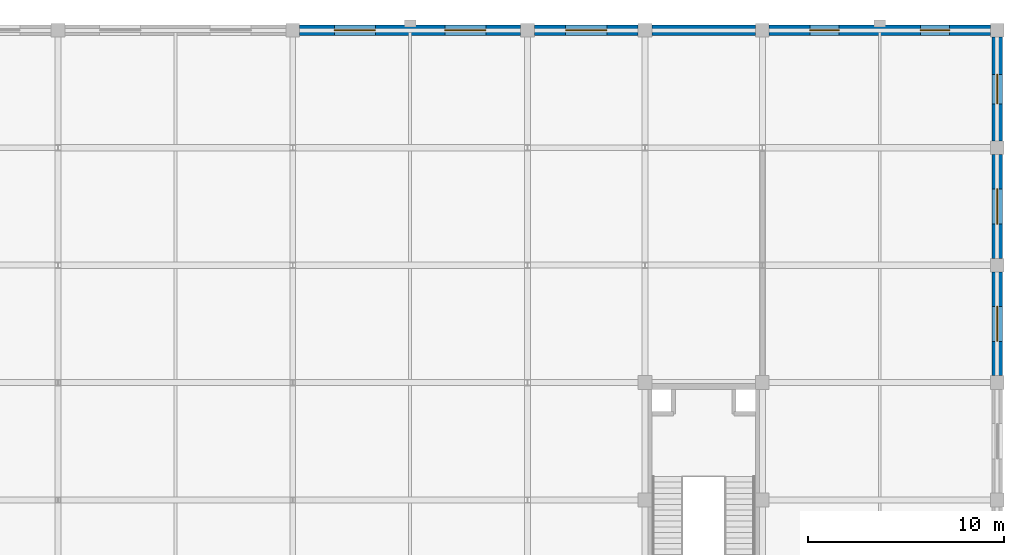
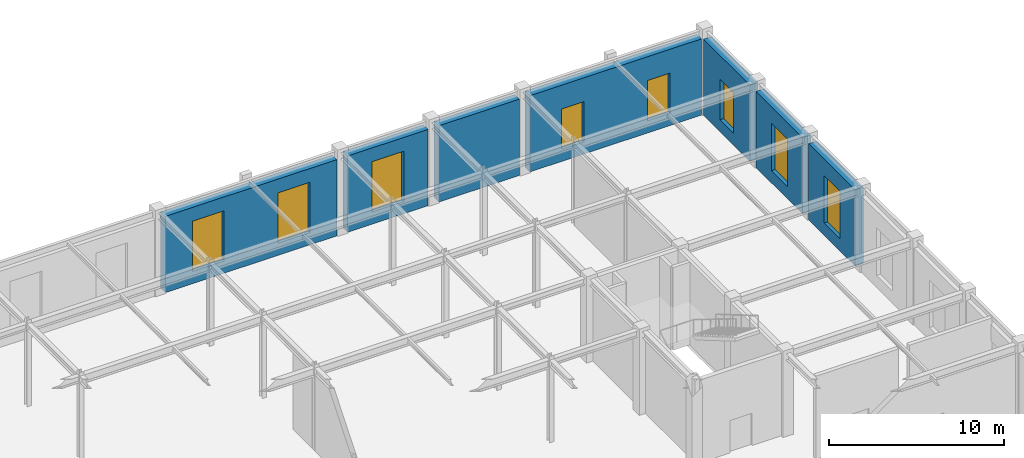
# One storey, part 105 of 108: 8 windows, 7 walls, 8 openings.
"""IFC4 building model written with IfcOpenShell, lengths in metres."""

import ifcopenshell
import ifcopenshell.guid

model = None  # the IFC model being written
_history = None  # IfcOwnerHistory: only IFC2X3 demands one
_inside = {}  # id of a spatial element -> (the spatial element, [elements in it])
_under = {}  # id of a project, library or spatial element -> (it, [spatial elements below it])
_declared = {}  # id of a project -> (the project, [libraries it declares])
_typed = {}  # id of a type object -> (the type object, [elements of that type])
_made_of = {}  # id of a material, layer set ... -> (it, [elements and type objects made of it])


def new_model(schema):
    """Start an empty IFC model of exactly this schema.

    Asked for "IFC4X3", IfcOpenShell would pick the latest addendum, in which some entities
    have other attributes; the version numbers below select the first issue.
    IFC2X3 requires an IfcOwnerHistory on every rooted entity: one is made here for all.
    """
    global model, _history
    if schema == "IFC4X3":
        model = ifcopenshell.file(schema_version=(4, 3, 0, 0))
    else:
        model = ifcopenshell.file(schema=schema)
    _inside.clear()
    _under.clear()
    _declared.clear()
    _typed.clear()
    _made_of.clear()
    _history = None
    if model.schema == "IFC2X3":
        org = make("IfcOrganization", Name="unknown")
        user = make(
            "IfcPersonAndOrganization",
            ThePerson=make("IfcPerson", FamilyName="unknown"),
            TheOrganization=org,
        )
        app = make(
            "IfcApplication",
            ApplicationDeveloper=org,
            Version="unknown",
            ApplicationFullName="unknown",
            ApplicationIdentifier="unknown",
        )
        _history = make(
            "IfcOwnerHistory",
            OwningUser=user,
            OwningApplication=app,
            ChangeAction="ADDED",
            CreationDate=0,
        )
    return model


def make(cls, **values):
    """One entity of the class cls with the attributes given. An attribute that is None is left unset."""
    return model.create_entity(
        cls, **{name: value for name, value in values.items() if value is not None}
    )


def rooted(cls, **values):
    """An entity with a GlobalId (a new one), such as an element, a storey or a relation."""
    return make(cls, GlobalId=ifcopenshell.guid.new(), OwnerHistory=_history, **values)


def si_unit(unit_type, name, prefix=None):
    """IfcSIUnit, for example si_unit("LENGTHUNIT", "METRE", prefix="MILLI")."""
    return make("IfcSIUnit", UnitType=unit_type, Prefix=prefix, Name=name)


def assignment(units):
    """IfcUnitAssignment: the units of a project."""
    return None if units is None else make("IfcUnitAssignment", Units=units)


def point(xyz):
    """IfcCartesianPoint."""
    return None if xyz is None else make("IfcCartesianPoint", Coordinates=xyz)


def direction(xyz):
    """IfcDirection."""
    return None if xyz is None else make("IfcDirection", DirectionRatios=xyz)


def frame(location, z_axis=None, x_axis=None):
    """IfcAxis2Placement3D, a coordinate frame: its origin and axes. An axis left out is left unset."""
    return make(
        "IfcAxis2Placement3D",
        Location=point(location),
        Axis=direction(z_axis),
        RefDirection=direction(x_axis),
    )


def frame_2d(location, x_axis=None):
    """IfcAxis2Placement2D, a coordinate frame in the plane: its origin and x axis."""
    return make(
        "IfcAxis2Placement2D", Location=point(location), RefDirection=direction(x_axis)
    )


def origin():
    """The frame at (0, 0, 0) with its axes left unset."""
    return frame((0.0, 0.0, 0.0))


def place(relative_to, where):
    """IfcLocalPlacement: puts the frame where relative to a parent placement (None: the world)."""
    return make(
        "IfcLocalPlacement", PlacementRelTo=relative_to, RelativePlacement=where
    )


def context(
    kind, dimensions, precision=None, world=None, true_north=None, identifier=None
):
    """IfcGeometricRepresentationContext, for example the 3D "Model" context."""
    return make(
        "IfcGeometricRepresentationContext",
        ContextIdentifier=identifier,
        ContextType=kind,
        CoordinateSpaceDimension=dimensions,
        Precision=precision,
        WorldCoordinateSystem=world,
        TrueNorth=true_north,
    )


def subcontext(parent, identifier, kind, view, scale=None):
    """IfcGeometricRepresentationSubContext, for example "Body" below "Model"."""
    return make(
        "IfcGeometricRepresentationSubContext",
        ContextIdentifier=identifier,
        ContextType=kind,
        ParentContext=parent,
        TargetScale=scale,
        TargetView=view,
    )


def project(units=None, contexts=None):
    """IfcProject with its units and contexts."""
    return rooted(
        "IfcProject",
        Name="project",
        RepresentationContexts=contexts,
        UnitsInContext=assignment(units),
    )


def spatial(cls, under=None, at=None, **own):
    """A site, building, storey or space (cls), placed at a placement, below another one or the project."""
    s = rooted(cls, ObjectPlacement=at, **own)
    if under is not None:
        _under.setdefault(under.id(), (under, []))[1].append(s)
    return s


def profile(cls, at=None, kind="AREA", **sizes):
    """A parametric profile (cls). Its sizes go by their IFC names, for example OverallWidth=200.0."""
    return make(cls, ProfileType=kind, Position=at, **sizes)


def rectangle(**sizes):
    """IfcRectangleProfileDef."""
    return profile("IfcRectangleProfileDef", **sizes)


def extrude(swept, where, along, depth):
    """IfcExtrudedAreaSolid: the profile swept, set in the frame where, extruded along a direction by depth."""
    return make(
        "IfcExtrudedAreaSolid",
        SweptArea=swept,
        Position=where,
        ExtrudedDirection=direction(along),
        Depth=depth,
    )


def shape(context_of_items, identifier, shape_type, items):
    """IfcShapeRepresentation: the items that make up one representation, for example the "Body"."""
    return make(
        "IfcShapeRepresentation",
        ContextOfItems=context_of_items,
        RepresentationIdentifier=identifier,
        RepresentationType=shape_type,
        Items=items,
    )


def material(Name=None, Category=None):
    """IfcMaterial."""
    return make("IfcMaterial", Name=Name, Category=Category)


def layer(
    of_material, thickness, ventilated=None, Name=None, Category=None, Priority=None
):
    """IfcMaterialLayer: one layer of a wall or slab, of a material (None: an air gap)."""
    return make(
        "IfcMaterialLayer",
        Material=of_material,
        LayerThickness=thickness,
        IsVentilated=ventilated,
        Name=Name,
        Category=Category,
        Priority=Priority,
    )


def layer_set(layers, Name=None):
    """IfcMaterialLayerSet."""
    return make("IfcMaterialLayerSet", MaterialLayers=layers, LayerSetName=Name)


def made_of(thing, what):
    """Note that an element or type object is made of a material, layer set ...; save() writes the relation."""
    if what is not None:
        _made_of.setdefault(what.id(), (what, []))[1].append(thing)
    return thing


def type_object(cls, material=None, **own):
    """A type object (cls), such as IfcWallType, which elements share."""
    return made_of(rooted(cls, **own), material)


def element(
    cls,
    number,
    at=None,
    inside=None,
    cuts=None,
    type_object=None,
    material=None,
    context=None,
    identifier="Body",
    shape_type=None,
    held_by="IfcProductDefinitionShape",
    body=None,
    shapes=None,
    **own,
):
    """One element of the class cls, such as IfcWall. Its Tag is "e" and its number.

    at: its placement. inside: the storey or other place that contains it. cuts: it is an
    opening in that element (IfcRelVoidsElement). A single representation is given by context,
    identifier, shape_type and body (its items); several are given by shapes. held_by: the class
    of the entity that holds the representations. save() writes the other relations.
    """
    e = rooted(cls, Tag="e%d" % number, ObjectPlacement=at, **own)
    if body is not None:
        shapes = [shape(context, identifier, shape_type, body)]
    if shapes is not None:
        e.Representation = make(held_by, Representations=shapes)
    if inside is not None:
        _inside.setdefault(inside.id(), (inside, []))[1].append(e)
    if cuts is not None:
        rooted(
            "IfcRelVoidsElement", RelatingBuildingElement=cuts, RelatedOpeningElement=e
        )
    if type_object is not None:
        _typed.setdefault(type_object.id(), (type_object, []))[1].append(e)
    return made_of(e, material)


def fill(opening, filler):
    """IfcRelFillsElement: the door or window that sits in an opening."""
    return rooted(
        "IfcRelFillsElement",
        RelatingOpeningElement=opening,
        RelatedBuildingElement=filler,
    )


def aggregate(whole, parts):
    """IfcRelAggregates: a whole, such as a stair, and the parts it consists of."""
    return rooted("IfcRelAggregates", RelatingObject=whole, RelatedObjects=parts)


def save(model, path):
    """Write the relations noted so far, then the file.

    IfcRelAggregates (storeys below a building ...), IfcRelContainedInSpatialStructure (elements
    in a storey), IfcRelDefinesByType, IfcRelAssociatesMaterial and IfcRelDeclares: one each for
    every whole, place, type object, material and project.
    """
    for whole, parts in _under.values():
        aggregate(whole, parts)
    for where, things in _inside.values():
        rooted(
            "IfcRelContainedInSpatialStructure",
            RelatedElements=things,
            RelatingStructure=where,
        )
    for kind, things in _typed.values():
        rooted("IfcRelDefinesByType", RelatedObjects=things, RelatingType=kind)
    for what, things in _made_of.values():
        rooted("IfcRelAssociatesMaterial", RelatedObjects=things, RelatingMaterial=what)
    for by, libraries in _declared.values():
        rooted("IfcRelDeclares", RelatingContext=by, RelatedDefinitions=libraries)
    model.write(path)


model = new_model("IFC4")

# Units and contexts
model_context = context("Model", 3, precision=1e-05, world=origin(), true_north=direction((0.0, 1.0)))
body_context = subcontext(model_context, "Body", "Model", "MODEL_VIEW")
ifc_project = project(units=[si_unit("LENGTHUNIT", "METRE"), si_unit("AREAUNIT", "SQUARE_METRE"), si_unit("VOLUMEUNIT", "CUBIC_METRE"), si_unit("PLANEANGLEUNIT", "RADIAN"), si_unit("MASSUNIT", "GRAM", prefix="KILO")], contexts=[model_context])

# Site, building, storey
site_placement = place(None, origin())
site = spatial("IfcSite", under=ifc_project, at=site_placement, CompositionType="ELEMENT")
building_placement = place(site_placement, origin())
building = spatial("IfcBuilding", under=site, at=building_placement, Name="Zlatovratsky Civic Hall", CompositionType="ELEMENT")
storey_placement = place(building_placement, frame((0.0, 0.0, 6.0)))
storey = spatial("IfcBuildingStorey", under=building, at=storey_placement, Name="L02", CompositionType="ELEMENT", Elevation=6.0)

# Wall, openings, windows
ifc_material_1 = material(Name="Acoustic ceramic blockwork", Category="masonry")
ifc_layer_1 = layer(ifc_material_1, 0.39990234375, Name="Backing")
ifc_material_2 = material(Name="Polished Karelian granite ashlar", Category="masonry")
ifc_layer_2 = layer(ifc_material_2, 0.139892578125, Name="Finish")
ifc_layer_set = layer_set([ifc_layer_1, ifc_layer_2], Name="Acoustic ceramic blockwork")
wall_type = type_object("IfcWallType", Name="Wall_PodiumGraniteArcade_540", PredefinedType="SOLIDWALL", material=ifc_layer_set)
wall_1_placement = place(storey_placement, frame((132.35009765625, 114.0, 0.0), z_axis=(0.0, 0.0, 1.0), x_axis=(1.0, 0.0, 0.0)))
wall_1 = element("IfcWall", 1, at=wall_1_placement, inside=storey, type_object=wall_type, Name="WL-0203", PredefinedType="SOLIDWALL", context=body_context, shape_type="SweptSolid", body=[
    extrude(rectangle(XDim=11.2998046875, YDim=0.5400390625, at=frame_2d((5.64990234375, 0.0))), origin(), (0.0, 0.0, 1.0), 5.31005859375),
])
opening_1_placement = place(wall_1_placement, frame((1.77490234375, 0.0, 0.85009765625)))
opening_1 = element("IfcOpeningElement", 2, at=opening_1_placement, cuts=wall_1, Name="Opening WN-05", PredefinedType="OPENING", context=body_context, shape_type="SweptSolid", body=[
    extrude(rectangle(XDim=2.10009765625, YDim=3.5, at=frame_2d((1.050048828125, 1.75))), frame((0.0, 0.284912109375, 0.0), z_axis=(0.0, -1.0, 0.0), x_axis=(1.0, 0.0, 0.0)), (0.0, 0.0, 1.0), 0.56982421875),
])
opening_2_placement = place(wall_1_placement, frame((7.425048828125, 0.0, 0.85009765625)))
opening_2 = element("IfcOpeningElement", 3, at=opening_2_placement, cuts=wall_1, Name="Opening WN-05", PredefinedType="OPENING", context=body_context, shape_type="SweptSolid", body=[
    extrude(rectangle(XDim=2.10009765625, YDim=3.5, at=frame_2d((1.050048828125, 1.75))), frame((0.0, 0.284912109375, 0.0), z_axis=(0.0, -1.0, 0.0), x_axis=(1.0, 0.0, 0.0)), (0.0, 0.0, 1.0), 0.56982421875),
])
ifc_material_3 = material(Name="Low-E laminated double glazing", Category="glass")
window_type_1 = type_object("IfcWindowType", Name="Window_PianoNobileWing_2100x3500", PartitioningType="SINGLE_PANEL", PredefinedType="WINDOW", material=ifc_material_3)
window_1_placement = place(opening_1_placement, origin())
window_1 = element("IfcWindow", 4, at=window_1_placement, inside=storey, type_object=window_type_1, Name="WN-0122", OverallHeight=3.5, OverallWidth=2.10009765625, PartitioningType="SINGLE_PANEL", PredefinedType="WINDOW", context=body_context, shape_type="SweptSolid", body=[
    extrude(rectangle(XDim=2.10009765625, YDim=3.5, at=frame_2d((1.050048828125, 1.75))), frame((0.0, 0.030029296875, 0.0), z_axis=(0.0, -1.0, 0.0), x_axis=(1.0, 0.0, 0.0)), (0.0, 0.0, 1.0), 0.06005859375),
])
fill(opening_1, window_1)
window_2_placement = place(opening_2_placement, origin())
window_2 = element("IfcWindow", 5, at=window_2_placement, inside=storey, type_object=window_type_1, Name="WN-0123", OverallHeight=3.5, OverallWidth=2.10009765625, PartitioningType="SINGLE_PANEL", PredefinedType="WINDOW", context=body_context, shape_type="SweptSolid", body=[
    extrude(rectangle(XDim=2.10009765625, YDim=3.5, at=frame_2d((1.050048828125, 1.75))), frame((0.0, 0.030029296875, 0.0), z_axis=(0.0, -1.0, 0.0), x_axis=(1.0, 0.0, 0.0)), (0.0, 0.0, 1.0), 0.06005859375),
])
fill(opening_2, window_2)

# Wall, opening, window
wall_2_placement = place(storey_placement, frame((144.35009765625, 114.0, 0.0), z_axis=(0.0, 0.0, 1.0), x_axis=(1.0, 0.0, 0.0)))
wall_2 = element("IfcWall", 6, at=wall_2_placement, inside=storey, type_object=wall_type, Name="WL-0204", PredefinedType="SOLIDWALL", context=body_context, shape_type="SweptSolid", body=[
    extrude(rectangle(XDim=5.2998046875, YDim=0.5400390625, at=frame_2d((2.64990234375, 0.0))), origin(), (0.0, 0.0, 1.0), 5.31005859375),
])
opening_3_placement = place(wall_2_placement, frame((1.60009765625, 0.0, 0.85009765625)))
opening_3 = element("IfcOpeningElement", 7, at=opening_3_placement, cuts=wall_2, Name="Opening WN-05", PredefinedType="OPENING", context=body_context, shape_type="SweptSolid", body=[
    extrude(rectangle(XDim=2.10009765625, YDim=3.5, at=frame_2d((1.050048828125, 1.75))), frame((0.0, 0.284912109375, 0.0), z_axis=(0.0, -1.0, 0.0), x_axis=(1.0, 0.0, 0.0)), (0.0, 0.0, 1.0), 0.56982421875),
])
window_3_placement = place(opening_3_placement, origin())
window_3 = element("IfcWindow", 8, at=window_3_placement, inside=storey, type_object=window_type_1, Name="WN-0124", OverallHeight=3.5, OverallWidth=2.10009765625, PartitioningType="SINGLE_PANEL", PredefinedType="WINDOW", context=body_context, shape_type="SweptSolid", body=[
    extrude(rectangle(XDim=2.10009765625, YDim=3.5, at=frame_2d((1.050048828125, 1.75))), frame((0.0, 0.030029296875, 0.0), z_axis=(0.0, -1.0, 0.0), x_axis=(1.0, 0.0, 0.0)), (0.0, 0.0, 1.0), 0.06005859375),
])
fill(opening_3, window_3)

# Wall
wall_3_placement = place(storey_placement, frame((150.35009765625, 114.0, 0.0), z_axis=(0.0, 0.0, 1.0), x_axis=(1.0, 0.0, 0.0)))
element("IfcWall", 9, at=wall_3_placement, inside=storey, type_object=wall_type, Name="WL-0205", PredefinedType="SOLIDWALL", context=body_context, shape_type="SweptSolid", body=[
    extrude(rectangle(XDim=5.2998046875, YDim=0.5400390625, at=frame_2d((2.64990234375, 0.0))), origin(), (0.0, 0.0, 1.0), 5.31005859375),
])

# Wall, openings, windows
wall_4_placement = place(storey_placement, frame((156.35009765625, 114.0, 0.0), z_axis=(0.0, 0.0, 1.0), x_axis=(1.0, 0.0, 0.0)))
wall_4 = element("IfcWall", 10, at=wall_4_placement, inside=storey, type_object=wall_type, Name="WL-0206", PredefinedType="SOLIDWALL", context=body_context, shape_type="SweptSolid", body=[
    extrude(rectangle(XDim=11.2998046875, YDim=0.5400390625, at=frame_2d((5.64990234375, 0.0))), origin(), (0.0, 0.0, 1.0), 5.31005859375),
])
opening_4_placement = place(wall_4_placement, frame((2.074951171875, 0.0, 0.85009765625)))
opening_4 = element("IfcOpeningElement", 11, at=opening_4_placement, cuts=wall_4, Name="Opening WN-27", PredefinedType="OPENING", context=body_context, shape_type="SweptSolid", body=[
    extrude(rectangle(XDim=1.5, YDim=2.800048828125, at=frame_2d((0.75, 1.39990234375))), frame((0.0, 0.284912109375, 0.0), z_axis=(0.0, -1.0, 0.0), x_axis=(1.0, 0.0, 0.0)), (0.0, 0.0, 1.0), 0.56982421875),
])
opening_5_placement = place(wall_4_placement, frame((7.72509765625, 0.0, 0.85009765625)))
opening_5 = element("IfcOpeningElement", 12, at=opening_5_placement, cuts=wall_4, Name="Opening WN-27", PredefinedType="OPENING", context=body_context, shape_type="SweptSolid", body=[
    extrude(rectangle(XDim=1.5, YDim=2.800048828125, at=frame_2d((0.75, 1.39990234375))), frame((0.0, 0.284912109375, 0.0), z_axis=(0.0, -1.0, 0.0), x_axis=(1.0, 0.0, 0.0)), (0.0, 0.0, 1.0), 0.56982421875),
])
window_type_2 = type_object("IfcWindowType", Name="Window_CornerBastionPodium_1500x2800", PartitioningType="SINGLE_PANEL", PredefinedType="WINDOW", material=ifc_material_3)
window_4_placement = place(opening_4_placement, origin())
window_4 = element("IfcWindow", 13, at=window_4_placement, inside=storey, type_object=window_type_2, Name="WN-0125", OverallHeight=2.800048828125, OverallWidth=1.5, PartitioningType="SINGLE_PANEL", PredefinedType="WINDOW", context=body_context, shape_type="SweptSolid", body=[
    extrude(rectangle(XDim=1.5, YDim=2.800048828125, at=frame_2d((0.75, 1.39990234375))), frame((0.0, 0.030029296875, 0.0), z_axis=(0.0, -1.0, 0.0), x_axis=(1.0, 0.0, 0.0)), (0.0, 0.0, 1.0), 0.06005859375),
])
fill(opening_4, window_4)
window_5_placement = place(opening_5_placement, origin())
window_5 = element("IfcWindow", 14, at=window_5_placement, inside=storey, type_object=window_type_2, Name="WN-0126", OverallHeight=2.800048828125, OverallWidth=1.5, PartitioningType="SINGLE_PANEL", PredefinedType="WINDOW", context=body_context, shape_type="SweptSolid", body=[
    extrude(rectangle(XDim=1.5, YDim=2.800048828125, at=frame_2d((0.75, 1.39990234375))), frame((0.0, 0.030029296875, 0.0), z_axis=(0.0, -1.0, 0.0), x_axis=(1.0, 0.0, 0.0)), (0.0, 0.0, 1.0), 0.06005859375),
])
fill(opening_5, window_5)

# Wall, opening, window
wall_5_placement = place(storey_placement, frame((168.0, 96.35009765625, 0.0), z_axis=(0.0, 0.0, 1.0), x_axis=(0.0, 1.0, 0.0)))
wall_5 = element("IfcWall", 15, at=wall_5_placement, inside=storey, type_object=wall_type, Name="WL-0238", PredefinedType="SOLIDWALL", context=body_context, shape_type="SweptSolid", body=[
    extrude(rectangle(XDim=5.2998046875, YDim=0.5400390625, at=frame_2d((2.64990234375, 0.0))), origin(), (0.0, 0.0, 1.0), 5.31005859375),
])
opening_6_placement = place(wall_5_placement, frame((1.75, 0.0, 0.85009765625)))
opening_6 = element("IfcOpeningElement", 16, at=opening_6_placement, cuts=wall_5, Name="Opening WN-06", PredefinedType="OPENING", context=body_context, shape_type="SweptSolid", body=[
    extrude(rectangle(XDim=1.800048828125, YDim=3.300048828125, at=frame_2d((0.89990234375, 1.64990234375))), frame((0.0, 0.284912109375, 0.0), z_axis=(0.0, -1.0, 0.0), x_axis=(1.0, 0.0, 0.0)), (0.0, 0.0, 1.0), 0.56982421875),
])
window_type_3 = type_object("IfcWindowType", Name="Window_PianoNobileCourt_1800x3300", PartitioningType="SINGLE_PANEL", PredefinedType="WINDOW", material=ifc_material_3)
window_6_placement = place(opening_6_placement, origin())
window_6 = element("IfcWindow", 17, at=window_6_placement, inside=storey, type_object=window_type_3, Name="WN-0162", OverallHeight=3.300048828125, OverallWidth=1.800048828125, PartitioningType="SINGLE_PANEL", PredefinedType="WINDOW", context=body_context, shape_type="SweptSolid", body=[
    extrude(rectangle(XDim=1.800048828125, YDim=3.300048828125, at=frame_2d((0.89990234375, 1.64990234375))), frame((0.0, 0.030029296875, 0.0), z_axis=(0.0, -1.0, 0.0), x_axis=(1.0, 0.0, 0.0)), (0.0, 0.0, 1.0), 0.06005859375),
])
fill(opening_6, window_6)

wall_6_placement = place(storey_placement, frame((168.0, 102.35009765625, 0.0), z_axis=(0.0, 0.0, 1.0), x_axis=(0.0, 1.0, 0.0)))
wall_6 = element("IfcWall", 18, at=wall_6_placement, inside=storey, type_object=wall_type, Name="WL-0239", PredefinedType="SOLIDWALL", context=body_context, shape_type="SweptSolid", body=[
    extrude(rectangle(XDim=5.2998046875, YDim=0.5400390625, at=frame_2d((2.64990234375, 0.0))), origin(), (0.0, 0.0, 1.0), 5.31005859375),
])
opening_7_placement = place(wall_6_placement, frame((1.75, 0.0, 0.85009765625)))
opening_7 = element("IfcOpeningElement", 19, at=opening_7_placement, cuts=wall_6, Name="Opening WN-06", PredefinedType="OPENING", context=body_context, shape_type="SweptSolid", body=[
    extrude(rectangle(XDim=1.800048828125, YDim=3.300048828125, at=frame_2d((0.89990234375, 1.64990234375))), frame((0.0, 0.284912109375, 0.0), z_axis=(0.0, -1.0, 0.0), x_axis=(1.0, 0.0, 0.0)), (0.0, 0.0, 1.0), 0.56982421875),
])
window_7_placement = place(opening_7_placement, origin())
window_7 = element("IfcWindow", 20, at=window_7_placement, inside=storey, type_object=window_type_3, Name="WN-0163", OverallHeight=3.300048828125, OverallWidth=1.800048828125, PartitioningType="SINGLE_PANEL", PredefinedType="WINDOW", context=body_context, shape_type="SweptSolid", body=[
    extrude(rectangle(XDim=1.800048828125, YDim=3.300048828125, at=frame_2d((0.89990234375, 1.64990234375))), frame((0.0, 0.030029296875, 0.0), z_axis=(0.0, -1.0, 0.0), x_axis=(1.0, 0.0, 0.0)), (0.0, 0.0, 1.0), 0.06005859375),
])
fill(opening_7, window_7)

wall_7_placement = place(storey_placement, frame((168.0, 108.35009765625, 0.0), z_axis=(0.0, 0.0, 1.0), x_axis=(0.0, 1.0, 0.0)))
wall_7 = element("IfcWall", 21, at=wall_7_placement, inside=storey, type_object=wall_type, Name="WL-0240", PredefinedType="SOLIDWALL", context=body_context, shape_type="SweptSolid", body=[
    extrude(rectangle(XDim=5.2998046875, YDim=0.5400390625, at=frame_2d((2.64990234375, 0.0))), origin(), (0.0, 0.0, 1.0), 5.31005859375),
])
opening_8_placement = place(wall_7_placement, frame((1.89990234375, 0.0, 0.85009765625)))
opening_8 = element("IfcOpeningElement", 22, at=opening_8_placement, cuts=wall_7, Name="Opening WN-27", PredefinedType="OPENING", context=body_context, shape_type="SweptSolid", body=[
    extrude(rectangle(XDim=1.5, YDim=2.800048828125, at=frame_2d((0.75, 1.39990234375))), frame((0.0, 0.284912109375, 0.0), z_axis=(0.0, -1.0, 0.0), x_axis=(1.0, 0.0, 0.0)), (0.0, 0.0, 1.0), 0.56982421875),
])
window_8_placement = place(opening_8_placement, origin())
window_8 = element("IfcWindow", 23, at=window_8_placement, inside=storey, type_object=window_type_2, Name="WN-0164", OverallHeight=2.800048828125, OverallWidth=1.5, PartitioningType="SINGLE_PANEL", PredefinedType="WINDOW", context=body_context, shape_type="SweptSolid", body=[
    extrude(rectangle(XDim=1.5, YDim=2.800048828125, at=frame_2d((0.75, 1.39990234375))), frame((0.0, 0.030029296875, 0.0), z_axis=(0.0, -1.0, 0.0), x_axis=(1.0, 0.0, 0.0)), (0.0, 0.0, 1.0), 0.06005859375),
])
fill(opening_8, window_8)

save(model, "model.ifc")
